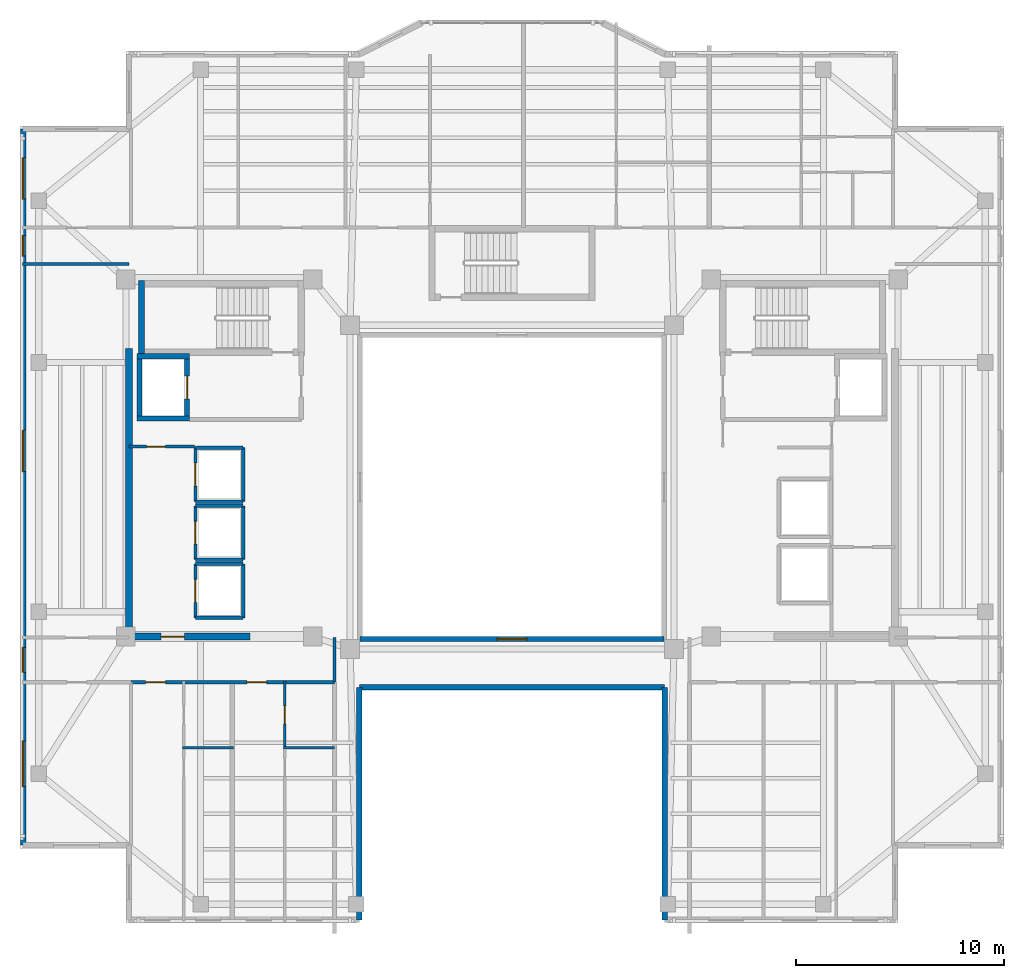
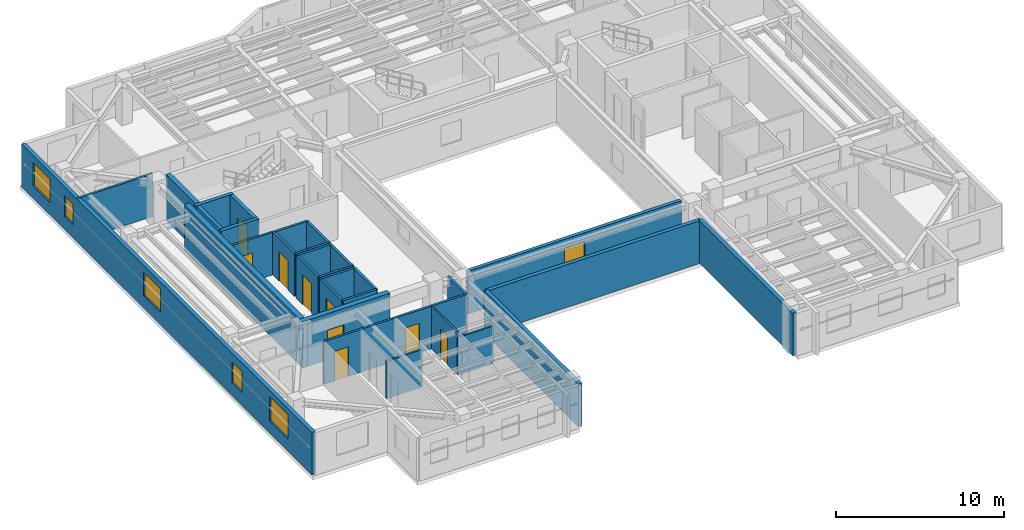
# One storey, part 4 of 11: 31 walls, 9 doors, 6 windows, 15 openings.
"""IFC4 building model written with IfcOpenShell, lengths in metres."""

from ifc_helpers import new_model, si_unit, direction, frame, frame_2d, origin, place, context, subcontext, project, spatial, rectangle, extrude, material, layer, layer_set, type_object, element, fill, save


model = new_model("IFC4")

# Units and contexts
model_context = context("Model", 3, precision=1e-05, world=origin(), true_north=direction((0.0, 1.0)))
body_context = subcontext(model_context, "Body", "Model", "MODEL_VIEW")
ifc_project = project(units=[si_unit("LENGTHUNIT", "METRE"), si_unit("AREAUNIT", "SQUARE_METRE"), si_unit("VOLUMEUNIT", "CUBIC_METRE"), si_unit("PLANEANGLEUNIT", "RADIAN"), si_unit("MASSUNIT", "GRAM", prefix="KILO")], contexts=[model_context])

# Site, building, storey
site_placement = place(None, origin())
site = spatial("IfcSite", under=ifc_project, at=site_placement, CompositionType="ELEMENT")
building_placement = place(site_placement, origin())
building = spatial("IfcBuilding", under=site, at=building_placement, Name="Tarnavaz Court Tower", CompositionType="ELEMENT")
storey_placement = place(building_placement, frame((0.0, 0.0, 213.699951171875)))
storey = spatial("IfcBuildingStorey", under=building, at=storey_placement, Name="L58", CompositionType="ELEMENT", Elevation=213.699951171875)

# Wall
ifc_material_1 = material(Name="Concrete C50/60", Category="concrete")
ifc_layer_1 = layer(ifc_material_1, 0.25)
ifc_layer_set_1 = layer_set([ifc_layer_1], Name="Concrete C50/60")
wall_type_1 = type_object("IfcWallType", Name="WL-CORE-250-C50", PredefinedType="SHEAR", material=ifc_layer_set_1)
wall_1_placement = place(storey_placement, frame((-17.949951171875, 3.175048828125, 0.0), z_axis=(0.0, 0.0, 1.0), x_axis=(0.0, 1.0, 0.0)))
element("IfcWall", 1, at=wall_1_placement, inside=storey, type_object=wall_type_1, Name="L58 Lift FL-W1 Shaft Wall 017", PredefinedType="SHEAR", context=body_context, shape_type="SweptSolid", body=[
    extrude(rectangle(XDim=3.25, YDim=0.25, at=frame_2d((1.625, 0.0))), origin(), (0.0, 0.0, 1.0), 3.35009765625),
])

# Wall, opening, door
wall_2_placement = place(storey_placement, frame((-15.64990234375, 3.175048828125, 0.0), z_axis=(0.0, 0.0, 1.0), x_axis=(0.0, 1.0, 0.0)))
wall_2 = element("IfcWall", 2, at=wall_2_placement, inside=storey, type_object=wall_type_1, Name="L58 Lift FL-W1 Shaft Wall 018", PredefinedType="SHEAR", context=body_context, shape_type="SweptSolid", body=[
    extrude(rectangle(XDim=3.25, YDim=0.25, at=frame_2d((1.625, 0.0))), origin(), (0.0, 0.0, 1.0), 3.35009765625),
])
opening_1_placement = place(wall_2_placement, frame((1.074951171875, 0.0, 0.0)))
opening_1 = element("IfcOpeningElement", 3, at=opening_1_placement, cuts=wall_2, Name="Opening LD1", PredefinedType="OPENING", context=body_context, shape_type="SweptSolid", body=[
    extrude(rectangle(XDim=1.10009765625, YDim=2.14990234375, at=frame_2d((0.550048828125, 1.074951171875))), frame((0.0, 0.135009765625, 0.0), z_axis=(0.0, -1.0, 0.0), x_axis=(1.0, 0.0, 0.0)), (0.0, 0.0, 1.0), 0.27001953125),
])
ifc_material_2 = material(Name="Stainless Steel", Category="steel")
door_type_1 = type_object("IfcDoorType", Name="DR-LD-1100", OperationType="NOTDEFINED", PredefinedType="DOOR", material=ifc_material_2)
door_1_placement = place(opening_1_placement, origin())
door_1 = element("IfcDoor", 4, at=door_1_placement, inside=storey, type_object=door_type_1, Name="L58 Lift Landing Door LD-FL-W1", OperationType="SLIDING_TO_LEFT", OverallHeight=2.14990234375, OverallWidth=1.10009765625, PredefinedType="DOOR", context=body_context, shape_type="SweptSolid", body=[
    extrude(rectangle(XDim=1.10009765625, YDim=2.14990234375, at=frame_2d((0.550048828125, 1.074951171875))), frame((0.0, 0.02490234375, 0.0), z_axis=(0.0, -1.0, 0.0), x_axis=(1.0, 0.0, 0.0)), (0.0, 0.0, 1.0), 0.050048828125),
])
fill(opening_1, door_1)

# Walls
for number, where, z_axis, x_axis, name in (
    (5, (-18.074951171875, 3.300048828125, 0.0), (0.0, 0.0, 1.0), (1.0, 0.0, 0.0), "L58 Lift FL-W1 Shaft Wall 019"),
    (6, (-18.074951171875, 6.300048828125, 0.0), (0.0, 0.0, 1.0), (1.0, 0.0, 0.0), "L58 Lift FL-W1 Shaft Wall 020"),
):
    element("IfcWall", number, at=place(storey_placement, frame(where, z_axis=z_axis, x_axis=x_axis)), inside=storey, type_object=wall_type_1, Name=name, PredefinedType="SHEAR", context=body_context, shape_type="SweptSolid", body=[
        extrude(rectangle(XDim=2.550048828125, YDim=0.25, at=frame_2d((1.27490234375, 0.0))), origin(), (0.0, 0.0, 1.0), 3.35009765625),
    ])
ifc_layer_2 = layer(ifc_material_1, 0.300048828125)
ifc_layer_set_2 = layer_set([ifc_layer_2], Name="Concrete C50/60")
wall_type_2 = type_object("IfcWallType", Name="WL-CORE-300-C50", PredefinedType="SHEAR", material=ifc_layer_set_2)
wall_3_placement = place(storey_placement, frame((-17.85009765625, 6.35009765625, 0.0), z_axis=(0.0, 0.0, 1.0), x_axis=(0.0, 1.0, 0.0)))
element("IfcWall", 7, at=wall_3_placement, inside=storey, type_object=wall_type_2, Name="L58 West Stair Core Wall 003", PredefinedType="SHEAR", context=body_context, shape_type="SweptSolid", body=[
    extrude(rectangle(XDim=3.58984375, YDim=0.300048828125, at=frame_2d((1.794921875, 0.0))), origin(), (0.0, 0.0, 1.0), 3.35009765625),
])
ifc_layer_3 = layer(ifc_material_1, 0.35009765625)
ifc_layer_set_3 = layer_set([ifc_layer_3], Name="Concrete C50/60")
wall_type_3 = type_object("IfcWallType", Name="WL-CORE-350-C50", PredefinedType="SHEAR", material=ifc_layer_set_3)
wall_4_placement = place(storey_placement, frame((-18.449951171875, -7.375, 0.0), z_axis=(0.0, 0.0, 1.0), x_axis=(0.0, 1.0, 0.0)))
element("IfcWall", 8, at=wall_4_placement, inside=storey, type_object=wall_type_3, Name="L58 West Core Shear Wall 045", PredefinedType="SHEAR", context=body_context, shape_type="SweptSolid", body=[
    extrude(rectangle(XDim=14.050048828125, YDim=0.35009765625, at=frame_2d((7.02490234375, 0.0))), origin(), (0.0, 0.0, 1.0), 3.35009765625),
])

# Wall, opening, door
wall_5_placement = place(storey_placement, frame((-18.625, -7.199951171875, 0.0), z_axis=(0.0, 0.0, 1.0), x_axis=(1.0, 0.0, 0.0)))
wall_5 = element("IfcWall", 9, at=wall_5_placement, inside=storey, type_object=wall_type_3, Name="L58 West Core South Shear Wall 046", PredefinedType="SHEAR", context=body_context, shape_type="SweptSolid", body=[
    extrude(rectangle(XDim=6.0, YDim=0.35009765625, at=frame_2d((3.0, 0.0))), origin(), (0.0, 0.0, 1.0), 3.35009765625),
])
opening_2_placement = place(wall_5_placement, frame((1.72509765625, 0.0, 0.0)))
opening_2 = element("IfcOpeningElement", 10, at=opening_2_placement, cuts=wall_5, Name="Opening D04", PredefinedType="OPENING", context=body_context, shape_type="SweptSolid", body=[
    extrude(rectangle(XDim=1.1201171875, YDim=2.14990234375, at=frame_2d((0.56005859375, 1.074951171875))), frame((0.0, 0.18505859375, 0.0), z_axis=(0.0, -1.0, 0.0), x_axis=(1.0, 0.0, 0.0)), (0.0, 0.0, 1.0), 0.3701171875),
])
ifc_material_3 = material(Name="Fire-Rated Hardwood Timber Core", Category="wood")
door_type_2 = type_object("IfcDoorType", Name="DR-FD60-1100", OperationType="NOTDEFINED", PredefinedType="DOOR", material=ifc_material_3)
door_2_placement = place(opening_2_placement, origin())
door_2 = element("IfcDoor", 11, at=door_2_placement, inside=storey, type_object=door_type_2, Name="L58 West High-Rise Lift Lobby Door", OperationType="SINGLE_SWING_LEFT", OverallHeight=2.14990234375, OverallWidth=1.1201171875, PredefinedType="DOOR", context=body_context, shape_type="SweptSolid", body=[
    extrude(rectangle(XDim=1.1201171875, YDim=2.14990234375, at=frame_2d((0.56005859375, 1.074951171875))), frame((0.0, 0.02490234375, 0.0), z_axis=(0.0, -1.0, 0.0), x_axis=(1.0, 0.0, 0.0)), (0.0, 0.0, 1.0), 0.050048828125),
])
fill(opening_2, door_2)

# Wall, openings, windows
ifc_material_4 = material(Name="Precast Concrete C40/50", Category="concrete")
ifc_layer_4 = layer(ifc_material_4, 0.260009765625)
ifc_layer_set_4 = layer_set([ifc_layer_4], Name="Precast Concrete C40/50")
wall_type_4 = type_object("IfcWallType", Name="WL-EXT-260", PredefinedType="SOLIDWALL", material=ifc_layer_set_4)
wall_6_placement = place(storey_placement, frame((-23.550048828125, -17.25, 0.0), z_axis=(0.0, 0.0, 1.0), x_axis=(0.0, 1.0, 0.0)))
wall_6 = element("IfcWall", 12, at=wall_6_placement, inside=storey, type_object=wall_type_4, Name="L58 Exterior Terracotta Facade Wall 02", PredefinedType="SOLIDWALL", context=body_context, shape_type="SweptSolid", body=[
    extrude(rectangle(XDim=34.5, YDim=0.260009765625, at=frame_2d((17.25, 0.0))), origin(), (0.0, 0.0, 1.0), 3.10009765625),
])
opening_3_placement = place(wall_6_placement, frame((2.824951171875, 0.0, 0.89990234375)))
opening_3 = element("IfcOpeningElement", 13, at=opening_3_placement, cuts=wall_6, Name="Opening W07", PredefinedType="OPENING", context=body_context, shape_type="SweptSolid", body=[
    extrude(rectangle(XDim=2.199951171875, YDim=1.75, at=frame_2d((1.10009765625, 0.875))), frame((0.0, 0.139892578125, 0.0), z_axis=(0.0, -1.0, 0.0), x_axis=(1.0, 0.0, 0.0)), (0.0, 0.0, 1.0), 0.280029296875),
])
opening_4_placement = place(wall_6_placement, frame((8.324951171875, 0.0, 0.949951171875)))
opening_4 = element("IfcOpeningElement", 14, at=opening_4_placement, cuts=wall_6, Name="Opening W05", PredefinedType="OPENING", context=body_context, shape_type="SweptSolid", body=[
    extrude(rectangle(XDim=1.199951171875, YDim=1.5, at=frame_2d((0.60009765625, 0.75))), frame((0.0, 0.139892578125, 0.0), z_axis=(0.0, -1.0, 0.0), x_axis=(1.0, 0.0, 0.0)), (0.0, 0.0, 1.0), 0.280029296875),
])
opening_5_placement = place(wall_6_placement, frame((18.0, 0.0, 0.89990234375)))
opening_5 = element("IfcOpeningElement", 15, at=opening_5_placement, cuts=wall_6, Name="Opening W08", PredefinedType="OPENING", context=body_context, shape_type="SweptSolid", body=[
    extrude(rectangle(XDim=2.0, YDim=1.699951171875, at=frame_2d((1.0, 0.85009765625))), frame((0.0, 0.139892578125, 0.0), z_axis=(0.0, -1.0, 0.0), x_axis=(1.0, 0.0, 0.0)), (0.0, 0.0, 1.0), 0.280029296875),
])
opening_6_placement = place(wall_6_placement, frame((28.375, 0.0, 0.949951171875)))
opening_6 = element("IfcOpeningElement", 16, at=opening_6_placement, cuts=wall_6, Name="Opening W14", PredefinedType="OPENING", context=body_context, shape_type="SweptSolid", body=[
    extrude(rectangle(XDim=1.0, YDim=1.5, at=frame_2d((0.5, 0.75))), frame((0.0, 0.139892578125, 0.0), z_axis=(0.0, -1.0, 0.0), x_axis=(1.0, 0.0, 0.0)), (0.0, 0.0, 1.0), 0.280029296875),
])
opening_7_placement = place(wall_6_placement, frame((31.125, 0.0, 0.89990234375)))
opening_7 = element("IfcOpeningElement", 17, at=opening_7_placement, cuts=wall_6, Name="Opening W08", PredefinedType="OPENING", context=body_context, shape_type="SweptSolid", body=[
    extrude(rectangle(XDim=2.0, YDim=1.699951171875, at=frame_2d((1.0, 0.85009765625))), frame((0.0, 0.139892578125, 0.0), z_axis=(0.0, -1.0, 0.0), x_axis=(1.0, 0.0, 0.0)), (0.0, 0.0, 1.0), 0.280029296875),
])
ifc_material_5 = material(Name="Double-Glazed Solar Low-E Glass", Category="glass")
window_type_1 = type_object("IfcWindowType", Name="WN-APT-1000", PartitioningType="SINGLE_PANEL", PredefinedType="WINDOW", material=ifc_material_5)
window_1_placement = place(opening_6_placement, origin())
window_1 = element("IfcWindow", 18, at=window_1_placement, inside=storey, type_object=window_type_1, Name="L58 North-West Corner Corridor Window", OverallHeight=1.5, OverallWidth=1.0, PartitioningType="SINGLE_PANEL", PredefinedType="WINDOW", context=body_context, shape_type="SweptSolid", body=[
    extrude(rectangle(XDim=1.0, YDim=1.5, at=frame_2d((0.5, 0.75))), frame((0.0, 0.030029296875, 0.0), z_axis=(0.0, -1.0, 0.0), x_axis=(1.0, 0.0, 0.0)), (0.0, 0.0, 1.0), 0.06005859375),
])
fill(opening_6, window_1)
window_type_2 = type_object("IfcWindowType", Name="WN-APT-1200", PartitioningType="SINGLE_PANEL", PredefinedType="WINDOW", material=ifc_material_5)
window_2_placement = place(opening_4_placement, origin())
window_2 = element("IfcWindow", 19, at=window_2_placement, inside=storey, type_object=window_type_2, Name="L58 South-West Corner Corridor Window", OverallHeight=1.5, OverallWidth=1.199951171875, PartitioningType="SINGLE_PANEL", PredefinedType="WINDOW", context=body_context, shape_type="SweptSolid", body=[
    extrude(rectangle(XDim=1.199951171875, YDim=1.5, at=frame_2d((0.60009765625, 0.75))), frame((0.0, 0.030029296875, 0.0), z_axis=(0.0, -1.0, 0.0), x_axis=(1.0, 0.0, 0.0)), (0.0, 0.0, 1.0), 0.06005859375),
])
fill(opening_4, window_2)
window_type_3 = type_object("IfcWindowType", Name="WN-APT-2000", PartitioningType="DOUBLE_PANEL_VERTICAL", PredefinedType="WINDOW", material=ifc_material_5)
window_3_placement = place(opening_5_placement, origin())
window_3 = element("IfcWindow", 20, at=window_3_placement, inside=storey, type_object=window_type_3, Name="L58 West Wing Community Meeting Lounge Window", OverallHeight=1.699951171875, OverallWidth=2.0, PartitioningType="SINGLE_PANEL", PredefinedType="WINDOW", context=body_context, shape_type="SweptSolid", body=[
    extrude(rectangle(XDim=2.0, YDim=1.699951171875, at=frame_2d((1.0, 0.85009765625))), frame((0.0, 0.030029296875, 0.0), z_axis=(0.0, -1.0, 0.0), x_axis=(1.0, 0.0, 0.0)), (0.0, 0.0, 1.0), 0.06005859375),
])
fill(opening_5, window_3)
window_4_placement = place(opening_7_placement, origin())
window_4 = element("IfcWindow", 21, at=window_4_placement, inside=storey, type_object=window_type_3, Name="L58 North-West Corner Sunroom Study Window", OverallHeight=1.699951171875, OverallWidth=2.0, PartitioningType="SINGLE_PANEL", PredefinedType="WINDOW", context=body_context, shape_type="SweptSolid", body=[
    extrude(rectangle(XDim=2.0, YDim=1.699951171875, at=frame_2d((1.0, 0.85009765625))), frame((0.0, 0.030029296875, 0.0), z_axis=(0.0, -1.0, 0.0), x_axis=(1.0, 0.0, 0.0)), (0.0, 0.0, 1.0), 0.06005859375),
])
fill(opening_7, window_4)
window_type_4 = type_object("IfcWindowType", Name="WN-APT-2200", PartitioningType="TRIPLE_PANEL_VERTICAL", PredefinedType="WINDOW", material=ifc_material_5)
window_5_placement = place(opening_3_placement, origin())
window_5 = element("IfcWindow", 22, at=window_5_placement, inside=storey, type_object=window_type_4, Name="L58 South-West Corner Reading Room Window", OverallHeight=1.75, OverallWidth=2.199951171875, PartitioningType="SINGLE_PANEL", PredefinedType="WINDOW", context=body_context, shape_type="SweptSolid", body=[
    extrude(rectangle(XDim=2.199951171875, YDim=1.75, at=frame_2d((1.10009765625, 0.875))), frame((0.0, 0.030029296875, 0.0), z_axis=(0.0, -1.0, 0.0), x_axis=(1.0, 0.0, 0.0)), (0.0, 0.0, 1.0), 0.06005859375),
])
fill(opening_3, window_5)

# Walls
wall_7_placement = place(storey_placement, frame((7.35009765625, -20.85009765625, 0.0), z_axis=(0.0, 0.0, 1.0), x_axis=(0.0, 1.0, 0.0)))
element("IfcWall", 23, at=wall_7_placement, inside=storey, type_object=wall_type_4, Name="L58 Exterior Terracotta Facade Wall 16", PredefinedType="SOLIDWALL", context=body_context, shape_type="SweptSolid", body=[
    extrude(rectangle(XDim=11.2001953125, YDim=0.260009765625, at=frame_2d((5.60009765625, 0.0))), origin(), (0.0, 0.0, 1.0), 3.10009765625),
])
wall_8_placement = place(storey_placement, frame((7.35009765625, -9.64990234375, 0.0), z_axis=(0.0, 0.0, 1.0), x_axis=(-1.0, 0.0, 0.0)))
element("IfcWall", 24, at=wall_8_placement, inside=storey, type_object=wall_type_4, Name="L58 Exterior Terracotta Facade Wall 17", PredefinedType="SOLIDWALL", context=body_context, shape_type="SweptSolid", body=[
    extrude(rectangle(XDim=14.7001953125, YDim=0.260009765625, at=frame_2d((7.35009765625, 0.0))), origin(), (0.0, 0.0, 1.0), 3.10009765625),
])
wall_9_placement = place(storey_placement, frame((-7.35009765625, -9.64990234375, 0.0), z_axis=(0.0, 0.0, 1.0), x_axis=(0.0, -1.0, 0.0)))
element("IfcWall", 25, at=wall_9_placement, inside=storey, type_object=wall_type_4, Name="L58 Exterior Terracotta Facade Wall 18", PredefinedType="SOLIDWALL", context=body_context, shape_type="SweptSolid", body=[
    extrude(rectangle(XDim=11.2001953125, YDim=0.260009765625, at=frame_2d((5.60009765625, 0.0))), origin(), (0.0, 0.0, 1.0), 3.10009765625),
])

# Wall, openings, doors
ifc_material_6 = material(Name="Gypsum Fire-Board on Acoustic Metal Stud", Category="masonry")
ifc_layer_5 = layer(ifc_material_6, 0.14990234375)
ifc_layer_set_5 = layer_set([ifc_layer_5], Name="Gypsum Fire-Board on Acoustic Metal Stud")
wall_type_5 = type_object("IfcWallType", Name="WL-FIRE-150", PredefinedType="PARTITIONING", material=ifc_layer_set_5)
wall_10_placement = place(storey_placement, frame((-18.35009765625, -9.39990234375, 0.0), z_axis=(0.0, 0.0, 1.0), x_axis=(1.0, 0.0, 0.0)))
wall_10 = element("IfcWall", 26, at=wall_10_placement, inside=storey, type_object=wall_type_5, Name="L58 SW Lobby Wall 056", PredefinedType="PARTITIONING", context=body_context, shape_type="SweptSolid", body=[
    extrude(rectangle(XDim=9.800048828125, YDim=0.14990234375, at=frame_2d((4.89990234375, 0.0))), origin(), (0.0, 0.0, 1.0), 3.10009765625),
])
opening_8_placement = place(wall_10_placement, frame((0.699951171875, 0.0, 0.0)))
opening_8 = element("IfcOpeningElement", 27, at=opening_8_placement, cuts=wall_10, Name="Opening D06", PredefinedType="OPENING", context=body_context, shape_type="SweptSolid", body=[
    extrude(rectangle(XDim=0.9599609375, YDim=2.14990234375, at=frame_2d((0.47998046875, 1.074951171875))), frame((0.0, 0.0849609375, 0.0), z_axis=(0.0, -1.0, 0.0), x_axis=(1.0, 0.0, 0.0)), (0.0, 0.0, 1.0), 0.169921875),
])
opening_9_placement = place(wall_10_placement, frame((5.574951171875, 0.0, 0.0)))
opening_9 = element("IfcOpeningElement", 28, at=opening_9_placement, cuts=wall_10, Name="Opening D06", PredefinedType="OPENING", context=body_context, shape_type="SweptSolid", body=[
    extrude(rectangle(XDim=0.9599609375, YDim=2.14990234375, at=frame_2d((0.47998046875, 1.074951171875))), frame((0.0, 0.0849609375, 0.0), z_axis=(0.0, -1.0, 0.0), x_axis=(1.0, 0.0, 0.0)), (0.0, 0.0, 1.0), 0.169921875),
])
door_type_3 = type_object("IfcDoorType", Name="DR-FD60-950", OperationType="NOTDEFINED", PredefinedType="DOOR", material=ifc_material_3)
door_3_placement = place(opening_8_placement, origin())
door_3 = element("IfcDoor", 29, at=door_3_placement, inside=storey, type_object=door_type_3, Name="L58 Flat 03 Entrance Door", OperationType="SINGLE_SWING_RIGHT", OverallHeight=2.14990234375, OverallWidth=0.9599609375, PredefinedType="DOOR", context=body_context, shape_type="SweptSolid", body=[
    extrude(rectangle(XDim=0.9599609375, YDim=2.14990234375, at=frame_2d((0.47998046875, 1.074951171875))), frame((0.0, 0.02490234375, 0.0), z_axis=(0.0, -1.0, 0.0), x_axis=(1.0, 0.0, 0.0)), (0.0, 0.0, 1.0), 0.050048828125),
])
fill(opening_8, door_3)
door_4_placement = place(opening_9_placement, origin())
door_4 = element("IfcDoor", 30, at=door_4_placement, inside=storey, type_object=door_type_3, Name="L58 Flat 04 Entrance Door", OperationType="SINGLE_SWING_LEFT", OverallHeight=2.14990234375, OverallWidth=0.9599609375, PredefinedType="DOOR", context=body_context, shape_type="SweptSolid", body=[
    extrude(rectangle(XDim=0.9599609375, YDim=2.14990234375, at=frame_2d((0.47998046875, 1.074951171875))), frame((0.0, 0.02490234375, 0.0), z_axis=(0.0, -1.0, 0.0), x_axis=(1.0, 0.0, 0.0)), (0.0, 0.0, 1.0), 0.050048828125),
])
fill(opening_9, door_4)

# Walls
wall_11_placement = place(storey_placement, frame((-8.550048828125, -9.39990234375, 0.0), z_axis=(0.0, 0.0, 1.0), x_axis=(0.0, 1.0, 0.0)))
element("IfcWall", 31, at=wall_11_placement, inside=storey, type_object=wall_type_5, Name="L58 West Spine End Wall 058", PredefinedType="PARTITIONING", context=body_context, shape_type="SweptSolid", body=[
    extrude(rectangle(XDim=2.14990234375, YDim=0.14990234375, at=frame_2d((1.074951171875, 0.0))), origin(), (0.0, 0.0, 1.0), 3.10009765625),
])
wall_12_placement = place(storey_placement, frame((-23.580078125, 10.75, 0.0), z_axis=(0.0, 0.0, 1.0), x_axis=(1.0, 0.0, 0.0)))
element("IfcWall", 32, at=wall_12_placement, inside=storey, type_object=wall_type_5, Name="L58 Interior Partition 085", PredefinedType="PARTITIONING", context=body_context, shape_type="SweptSolid", body=[
    extrude(rectangle(XDim=5.130126953125, YDim=0.14990234375, at=frame_2d((2.56494140625, 0.0))), origin(), (0.0, 0.0, 1.0), 3.10009765625),
])
ifc_material_7 = material(Name="Moisture-Resistant Gypsum Board Partition", Category="masonry")
ifc_layer_6 = layer(ifc_material_7, 0.1201171875)
ifc_layer_set_6 = layer_set([ifc_layer_6], Name="Moisture-Resistant Gypsum Board Partition")
wall_type_6 = type_object("IfcWallType", Name="WL-PART-120", PredefinedType="PARTITIONING", material=ifc_layer_set_6)
wall_13_placement = place(storey_placement, frame((-15.876953125, -12.56005859375, 0.0), z_axis=(0.0, 0.0, 1.0), x_axis=(1.0, 0.0, 0.0)))
element("IfcWall", 33, at=wall_13_placement, inside=storey, type_object=wall_type_6, Name="L58 Interior Partition 076", PredefinedType="PARTITIONING", context=body_context, shape_type="SweptSolid", body=[
    extrude(rectangle(XDim=2.4619140625, YDim=0.1201171875, at=frame_2d((1.23095703125, 0.0))), origin(), (0.0, 0.0, 1.0), 2.72509765625),
])

# Wall, opening, door
wall_14_placement = place(storey_placement, frame((-10.94189453125, -12.56005859375, 0.0), z_axis=(0.0, 0.0, 1.0), x_axis=(0.0, 1.0, 0.0)))
wall_14 = element("IfcWall", 34, at=wall_14_placement, inside=storey, type_object=wall_type_6, Name="L58 Interior Partition 078", PredefinedType="PARTITIONING", context=body_context, shape_type="SweptSolid", body=[
    extrude(rectangle(XDim=3.219970703125, YDim=0.1201171875, at=frame_2d((1.60986328125, 0.0))), origin(), (0.0, 0.0, 1.0), 3.10009765625),
])
opening_10_placement = place(wall_14_placement, frame((1.139892578125, 0.0, 0.0)))
opening_10 = element("IfcOpeningElement", 35, at=opening_10_placement, cuts=wall_14, Name="Opening D14", PredefinedType="OPENING", context=body_context, shape_type="SweptSolid", body=[
    extrude(rectangle(XDim=0.8798828125, YDim=2.10009765625, at=frame_2d((0.43994140625, 1.050048828125))), frame((0.0, 0.070068359375, 0.0), z_axis=(0.0, -1.0, 0.0), x_axis=(1.0, 0.0, 0.0)), (0.0, 0.0, 1.0), 0.14013671875),
])
ifc_material_8 = material(Name="Engineered Oak Timber", Category="wood")
door_type_4 = type_object("IfcDoorType", Name="DR-INT-900", OperationType="NOTDEFINED", PredefinedType="DOOR", material=ifc_material_8)
door_5_placement = place(opening_10_placement, origin())
door_5 = element("IfcDoor", 36, at=door_5_placement, inside=storey, type_object=door_type_4, Name="L58 Flat 04 Bathroom Door", OperationType="SINGLE_SWING_LEFT", OverallHeight=2.10009765625, OverallWidth=0.8798828125, PredefinedType="DOOR", context=body_context, shape_type="SweptSolid", body=[
    extrude(rectangle(XDim=0.8798828125, YDim=2.10009765625, at=frame_2d((0.43994140625, 1.050048828125))), frame((0.0, 0.02490234375, 0.0), z_axis=(0.0, -1.0, 0.0), x_axis=(1.0, 0.0, 0.0)), (0.0, 0.0, 1.0), 0.050048828125),
])
fill(opening_10, door_5)

# Wall
wall_15_placement = place(storey_placement, frame((-11.001953125, -12.56005859375, 0.0), z_axis=(0.0, 0.0, 1.0), x_axis=(1.0, 0.0, 0.0)))
element("IfcWall", 37, at=wall_15_placement, inside=storey, type_object=wall_type_6, Name="L58 Interior Partition 079", PredefinedType="PARTITIONING", context=body_context, shape_type="SweptSolid", body=[
    extrude(rectangle(XDim=2.4619140625, YDim=0.1201171875, at=frame_2d((1.23095703125, 0.0))), origin(), (0.0, 0.0, 1.0), 2.72509765625),
])

# Wall, opening, door
ifc_material_9 = material(Name="Gypsum Plasterboard Acoustic Partition", Category="masonry")
ifc_layer_7 = layer(ifc_material_9, 0.139892578125)
ifc_layer_set_7 = layer_set([ifc_layer_7], Name="Gypsum Plasterboard Acoustic Partition")
wall_type_7 = type_object("IfcWallType", Name="WL-PART-150", PredefinedType="PARTITIONING", material=ifc_layer_set_7)
wall_16_placement = place(storey_placement, frame((-18.449951171875, 1.949951171875, 0.0), z_axis=(0.0, 0.0, 1.0), x_axis=(1.0, 0.0, 0.0)))
wall_16 = element("IfcWall", 38, at=wall_16_placement, inside=storey, type_object=wall_type_7, Name="L58 Interior Partition 049", PredefinedType="PARTITIONING", context=body_context, shape_type="SweptSolid", body=[
    extrude(rectangle(XDim=3.14990234375, YDim=0.139892578125, at=frame_2d((1.574951171875, 0.0))), origin(), (0.0, 0.0, 1.0), 3.10009765625),
])
opening_11_placement = place(wall_16_placement, frame((0.85009765625, 0.0, 0.0)))
opening_11 = element("IfcOpeningElement", 39, at=opening_11_placement, cuts=wall_16, Name="Opening D09", PredefinedType="OPENING", context=body_context, shape_type="SweptSolid", body=[
    extrude(rectangle(XDim=0.89990234375, YDim=2.080078125, at=frame_2d((0.449951171875, 1.0400390625))), frame((0.0, 0.079833984375, 0.0), z_axis=(0.0, -1.0, 0.0), x_axis=(1.0, 0.0, 0.0)), (0.0, 0.0, 1.0), 0.159912109375),
])
door_type_5 = type_object("IfcDoorType", Name="DR-FD30-900", OperationType="NOTDEFINED", PredefinedType="DOOR", material=ifc_material_3)
door_6_placement = place(opening_11_placement, origin())
door_6 = element("IfcDoor", 40, at=door_6_placement, inside=storey, type_object=door_type_5, Name="L58 West Sky Store Door", OperationType="SINGLE_SWING_RIGHT", OverallHeight=2.080078125, OverallWidth=0.89990234375, PredefinedType="DOOR", context=body_context, shape_type="SweptSolid", body=[
    extrude(rectangle(XDim=0.89990234375, YDim=2.080078125, at=frame_2d((0.449951171875, 1.0400390625))), frame((0.0, 0.02490234375, 0.0), z_axis=(0.0, -1.0, 0.0), x_axis=(1.0, 0.0, 0.0)), (0.0, 0.0, 1.0), 0.050048828125),
])
fill(opening_11, door_6)

ifc_material_10 = material(Name="Autoclaved Aerated Concrete Blockwork", Category="masonry")
ifc_layer_8 = layer(ifc_material_10, 0.159912109375)
ifc_layer_set_8 = layer_set([ifc_layer_8], Name="Autoclaved Aerated Concrete Blockwork")
wall_type_8 = type_object("IfcWallType", Name="WL-SHAFT-150", PredefinedType="SOLIDWALL", material=ifc_layer_set_8)
wall_17_placement = place(storey_placement, frame((-15.25, -6.300048828125, 0.0), z_axis=(0.0, 0.0, 1.0), x_axis=(0.0, 1.0, 0.0)))
wall_17 = element("IfcWall", 41, at=wall_17_placement, inside=storey, type_object=wall_type_8, Name="L58 Lift PL-H1 Shaft Wall 021", PredefinedType="SOLIDWALL", context=body_context, shape_type="SweptSolid", body=[
    extrude(rectangle(XDim=2.60009765625, YDim=0.159912109375, at=frame_2d((1.300048828125, 0.0))), origin(), (0.0, 0.0, 1.0), 3.10009765625),
])
opening_12_placement = place(wall_17_placement, frame((0.75, 0.0, 0.0)))
opening_12 = element("IfcOpeningElement", 42, at=opening_12_placement, cuts=wall_17, Name="Opening LD1", PredefinedType="OPENING", context=body_context, shape_type="SweptSolid", body=[
    extrude(rectangle(XDim=1.10009765625, YDim=2.14990234375, at=frame_2d((0.550048828125, 1.074951171875))), frame((0.0, 0.08984375, 0.0), z_axis=(0.0, -1.0, 0.0), x_axis=(1.0, 0.0, 0.0)), (0.0, 0.0, 1.0), 0.179931640625),
])
door_7_placement = place(opening_12_placement, origin())
door_7 = element("IfcDoor", 43, at=door_7_placement, inside=storey, type_object=door_type_1, Name="L58 Lift Landing Door LD-PL-H1", OperationType="SLIDING_TO_LEFT", OverallHeight=2.14990234375, OverallWidth=1.10009765625, PredefinedType="DOOR", context=body_context, shape_type="SweptSolid", body=[
    extrude(rectangle(XDim=1.10009765625, YDim=2.14990234375, at=frame_2d((0.550048828125, 1.074951171875))), frame((0.0, 0.02490234375, 0.0), z_axis=(0.0, -1.0, 0.0), x_axis=(1.0, 0.0, 0.0)), (0.0, 0.0, 1.0), 0.050048828125),
])
fill(opening_12, door_7)

# Walls
wall_18_placement = place(storey_placement, frame((-12.949951171875, -6.300048828125, 0.0), z_axis=(0.0, 0.0, 1.0), x_axis=(0.0, 1.0, 0.0)))
element("IfcWall", 44, at=wall_18_placement, inside=storey, type_object=wall_type_8, Name="L58 Lift PL-H1 Shaft Wall 022", PredefinedType="SOLIDWALL", context=body_context, shape_type="SweptSolid", body=[
    extrude(rectangle(XDim=2.60009765625, YDim=0.159912109375, at=frame_2d((1.300048828125, 0.0))), origin(), (0.0, 0.0, 1.0), 3.10009765625),
])
for number, where, z_axis, x_axis, name in (
    (45, (-15.25, -6.300048828125, 0.0), (0.0, 0.0, 1.0), (1.0, 0.0, 0.0), "L58 Lift PL-H1 Shaft Wall 023"),
    (46, (-15.25, -3.699951171875, 0.0), (0.0, 0.0, 1.0), (1.0, 0.0, 0.0), "L58 Lift PL-H1 Shaft Wall 024"),
):
    element("IfcWall", number, at=place(storey_placement, frame(where, z_axis=z_axis, x_axis=x_axis)), inside=storey, type_object=wall_type_8, Name=name, PredefinedType="SOLIDWALL", context=body_context, shape_type="SweptSolid", body=[
        extrude(rectangle(XDim=2.300048828125, YDim=0.159912109375, at=frame_2d((1.14990234375, 0.0))), origin(), (0.0, 0.0, 1.0), 3.10009765625),
    ])

# Wall, opening, door
wall_19_placement = place(storey_placement, frame((-15.25, -3.5, 0.0), z_axis=(0.0, 0.0, 1.0), x_axis=(0.0, 1.0, 0.0)))
wall_19 = element("IfcWall", 47, at=wall_19_placement, inside=storey, type_object=wall_type_8, Name="L58 Lift PL-H2 Shaft Wall 025", PredefinedType="SOLIDWALL", context=body_context, shape_type="SweptSolid", body=[
    extrude(rectangle(XDim=2.60009765625, YDim=0.159912109375, at=frame_2d((1.300048828125, 0.0))), origin(), (0.0, 0.0, 1.0), 3.10009765625),
])
opening_13_placement = place(wall_19_placement, frame((0.75, 0.0, 0.0)))
opening_13 = element("IfcOpeningElement", 48, at=opening_13_placement, cuts=wall_19, Name="Opening LD1", PredefinedType="OPENING", context=body_context, shape_type="SweptSolid", body=[
    extrude(rectangle(XDim=1.10009765625, YDim=2.14990234375, at=frame_2d((0.550048828125, 1.074951171875))), frame((0.0, 0.08984375, 0.0), z_axis=(0.0, -1.0, 0.0), x_axis=(1.0, 0.0, 0.0)), (0.0, 0.0, 1.0), 0.179931640625),
])
door_8_placement = place(opening_13_placement, origin())
door_8 = element("IfcDoor", 49, at=door_8_placement, inside=storey, type_object=door_type_1, Name="L58 Lift Landing Door LD-PL-H2", OperationType="SLIDING_TO_LEFT", OverallHeight=2.14990234375, OverallWidth=1.10009765625, PredefinedType="DOOR", context=body_context, shape_type="SweptSolid", body=[
    extrude(rectangle(XDim=1.10009765625, YDim=2.14990234375, at=frame_2d((0.550048828125, 1.074951171875))), frame((0.0, 0.02490234375, 0.0), z_axis=(0.0, -1.0, 0.0), x_axis=(1.0, 0.0, 0.0)), (0.0, 0.0, 1.0), 0.050048828125),
])
fill(opening_13, door_8)

# Walls
wall_20_placement = place(storey_placement, frame((-12.949951171875, -3.5, 0.0), z_axis=(0.0, 0.0, 1.0), x_axis=(0.0, 1.0, 0.0)))
element("IfcWall", 50, at=wall_20_placement, inside=storey, type_object=wall_type_8, Name="L58 Lift PL-H2 Shaft Wall 026", PredefinedType="SOLIDWALL", context=body_context, shape_type="SweptSolid", body=[
    extrude(rectangle(XDim=2.60009765625, YDim=0.159912109375, at=frame_2d((1.300048828125, 0.0))), origin(), (0.0, 0.0, 1.0), 3.10009765625),
])
for number, where, z_axis, x_axis, name in (
    (51, (-15.25, -3.5, 0.0), (0.0, 0.0, 1.0), (1.0, 0.0, 0.0), "L58 Lift PL-H2 Shaft Wall 027"),
    (52, (-15.25, -0.89990234375, 0.0), (0.0, 0.0, 1.0), (1.0, 0.0, 0.0), "L58 Lift PL-H2 Shaft Wall 028"),
):
    element("IfcWall", number, at=place(storey_placement, frame(where, z_axis=z_axis, x_axis=x_axis)), inside=storey, type_object=wall_type_8, Name=name, PredefinedType="SOLIDWALL", context=body_context, shape_type="SweptSolid", body=[
        extrude(rectangle(XDim=2.300048828125, YDim=0.159912109375, at=frame_2d((1.14990234375, 0.0))), origin(), (0.0, 0.0, 1.0), 3.10009765625),
    ])

# Wall, opening, door
wall_21_placement = place(storey_placement, frame((-15.25, -0.699951171875, 0.0), z_axis=(0.0, 0.0, 1.0), x_axis=(0.0, 1.0, 0.0)))
wall_21 = element("IfcWall", 53, at=wall_21_placement, inside=storey, type_object=wall_type_8, Name="L58 Lift PL-H3 Shaft Wall 029", PredefinedType="SOLIDWALL", context=body_context, shape_type="SweptSolid", body=[
    extrude(rectangle(XDim=2.599853515625, YDim=0.159912109375, at=frame_2d((1.2998046875, 0.0))), origin(), (0.0, 0.0, 1.0), 3.10009765625),
])
opening_14_placement = place(wall_21_placement, frame((0.75, 0.0, 0.0)))
opening_14 = element("IfcOpeningElement", 54, at=opening_14_placement, cuts=wall_21, Name="Opening LD1", PredefinedType="OPENING", context=body_context, shape_type="SweptSolid", body=[
    extrude(rectangle(XDim=1.10009765625, YDim=2.14990234375, at=frame_2d((0.550048828125, 1.074951171875))), frame((0.0, 0.08984375, 0.0), z_axis=(0.0, -1.0, 0.0), x_axis=(1.0, 0.0, 0.0)), (0.0, 0.0, 1.0), 0.179931640625),
])
door_9_placement = place(opening_14_placement, origin())
door_9 = element("IfcDoor", 55, at=door_9_placement, inside=storey, type_object=door_type_1, Name="L58 Lift Landing Door LD-PL-H3", OperationType="SLIDING_TO_LEFT", OverallHeight=2.14990234375, OverallWidth=1.10009765625, PredefinedType="DOOR", context=body_context, shape_type="SweptSolid", body=[
    extrude(rectangle(XDim=1.10009765625, YDim=2.14990234375, at=frame_2d((0.550048828125, 1.074951171875))), frame((0.0, 0.02490234375, 0.0), z_axis=(0.0, -1.0, 0.0), x_axis=(1.0, 0.0, 0.0)), (0.0, 0.0, 1.0), 0.050048828125),
])
fill(opening_14, door_9)

# Walls
wall_22_placement = place(storey_placement, frame((-12.949951171875, -0.699951171875, 0.0), z_axis=(0.0, 0.0, 1.0), x_axis=(0.0, 1.0, 0.0)))
element("IfcWall", 56, at=wall_22_placement, inside=storey, type_object=wall_type_8, Name="L58 Lift PL-H3 Shaft Wall 030", PredefinedType="SOLIDWALL", context=body_context, shape_type="SweptSolid", body=[
    extrude(rectangle(XDim=2.599853515625, YDim=0.159912109375, at=frame_2d((1.2998046875, 0.0))), origin(), (0.0, 0.0, 1.0), 3.10009765625),
])
for number, where, z_axis, x_axis, name in (
    (57, (-15.25, -0.699951171875, 0.0), (0.0, 0.0, 1.0), (1.0, 0.0, 0.0), "L58 Lift PL-H3 Shaft Wall 031"),
    (58, (-15.25, 1.89990234375, 0.0), (0.0, 0.0, 1.0), (1.0, 0.0, 0.0), "L58 Lift PL-H3 Shaft Wall 032"),
):
    element("IfcWall", number, at=place(storey_placement, frame(where, z_axis=z_axis, x_axis=x_axis)), inside=storey, type_object=wall_type_8, Name=name, PredefinedType="SOLIDWALL", context=body_context, shape_type="SweptSolid", body=[
        extrude(rectangle(XDim=2.300048828125, YDim=0.159912109375, at=frame_2d((1.14990234375, 0.0))), origin(), (0.0, 0.0, 1.0), 3.10009765625),
    ])

# Wall, opening, window
ifc_layer_9 = layer(ifc_material_4, 0.239990234375)
ifc_layer_set_9 = layer_set([ifc_layer_9], Name="Precast Concrete C40/50")
wall_type_9 = type_object("IfcWallType", Name="WL-WELL-240", PredefinedType="SOLIDWALL", material=ifc_layer_set_9)
wall_23_placement = place(storey_placement, frame((-7.320068359375, -7.320068359375, 0.0), z_axis=(0.0, 0.0, 1.0), x_axis=(1.0, 0.0, 0.0)))
wall_23 = element("IfcWall", 59, at=wall_23_placement, inside=storey, type_object=wall_type_9, Name="L58 Badgir Light-Well Exterior Wall S", PredefinedType="SOLIDWALL", context=body_context, shape_type="SweptSolid", body=[
    extrude(rectangle(XDim=14.64013671875, YDim=0.239990234375, at=frame_2d((7.320068359375, 0.0))), origin(), (0.0, 0.0, 1.0), 3.10009765625),
])
opening_15_placement = place(wall_23_placement, frame((6.6201171875, 0.0, 0.949951171875)))
opening_15 = element("IfcOpeningElement", 60, at=opening_15_placement, cuts=wall_23, Name="Opening W13", PredefinedType="OPENING", context=body_context, shape_type="SweptSolid", body=[
    extrude(rectangle(XDim=1.39990234375, YDim=1.5, at=frame_2d((0.699951171875, 0.75))), frame((0.0, 0.1298828125, 0.0), z_axis=(0.0, -1.0, 0.0), x_axis=(1.0, 0.0, 0.0)), (0.0, 0.0, 1.0), 0.260009765625),
])
window_type_5 = type_object("IfcWindowType", Name="WN-WEL-1400", PartitioningType="SINGLE_PANEL", PredefinedType="WINDOW", material=ifc_material_5)
window_6_placement = place(opening_15_placement, origin())
window_6 = element("IfcWindow", 61, at=window_6_placement, inside=storey, type_object=window_type_5, Name="L58 Courtyard Gallery Window S", OverallHeight=1.5, OverallWidth=1.39990234375, PartitioningType="SINGLE_PANEL", PredefinedType="WINDOW", context=body_context, shape_type="SweptSolid", body=[
    extrude(rectangle(XDim=1.39990234375, YDim=1.5, at=frame_2d((0.699951171875, 0.75))), frame((0.0, 0.030029296875, 0.0), z_axis=(0.0, -1.0, 0.0), x_axis=(1.0, 0.0, 0.0)), (0.0, 0.0, 1.0), 0.06005859375),
])
fill(opening_15, window_6)

save(model, "model.ifc")
